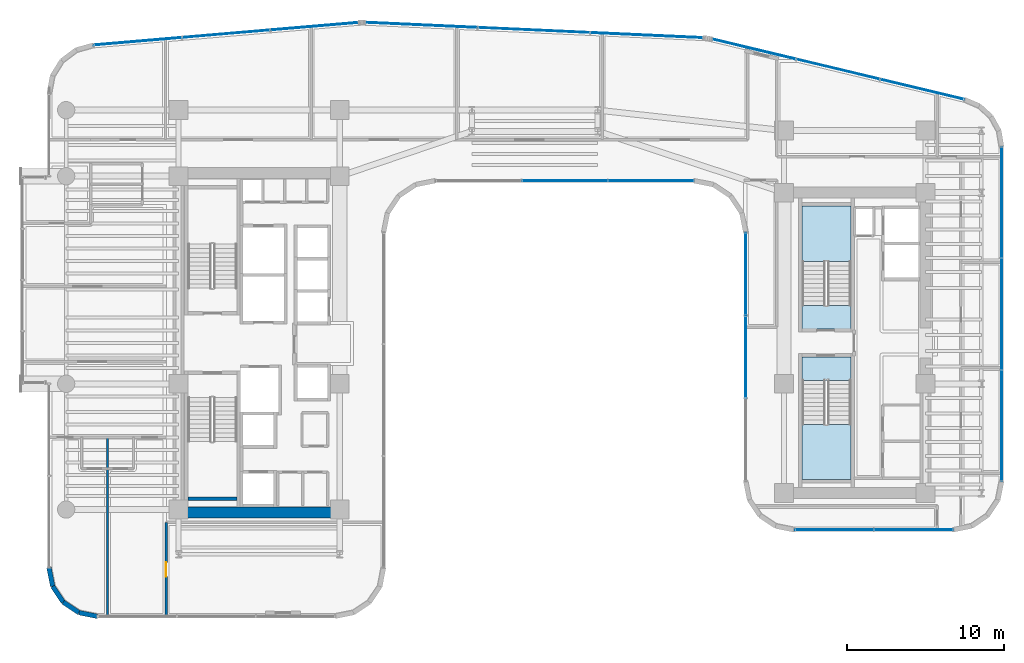
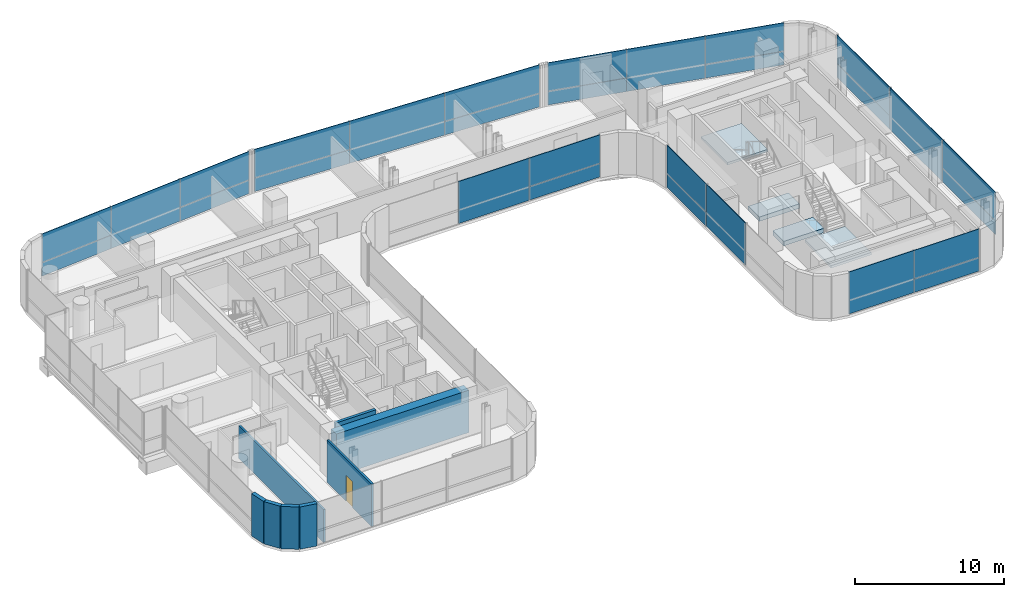
# One storey, part 25 of 35: 29 plates, 8 walls, 4 slabs, 1 door, 1 opening, 9 elements without a shape of their own.
"""IFC4 building model written with IfcOpenShell, lengths in metres."""

from ifc_helpers import new_model, si_unit, direction, frame, frame_2d, origin, origin_2d, place, context, subcontext, project, spatial, polyline, rectangle, outline, extrude, source, transform, mapped, material, layer, layer_set, type_object, element, fill, aggregate, save


model = new_model("IFC4")

# Units and contexts
model_context = context("Model", 3, precision=1e-05, world=origin(), true_north=direction((0.0, 1.0)))
body_context = subcontext(model_context, "Body", "Model", "MODEL_VIEW")
ifc_project = project(units=[si_unit("LENGTHUNIT", "METRE"), si_unit("AREAUNIT", "SQUARE_METRE"), si_unit("VOLUMEUNIT", "CUBIC_METRE"), si_unit("PLANEANGLEUNIT", "RADIAN"), si_unit("MASSUNIT", "GRAM", prefix="KILO")], contexts=[model_context])

# Site, building, storey
site_placement = place(None, origin())
site = spatial("IfcSite", under=ifc_project, at=site_placement, CompositionType="ELEMENT")
building_placement = place(site_placement, origin())
building = spatial("IfcBuilding", under=site, at=building_placement, Name="Valdorenza Pilgrim Sanctuary Tower", CompositionType="ELEMENT")
storey_placement = place(building_placement, frame((0.0, 0.0, 139.0)))
storey = spatial("IfcBuildingStorey", under=building, at=storey_placement, Name="L35", CompositionType="ELEMENT", Elevation=139.0)

# Stair, slab
ifc_material_1 = material(Name="Concrete C40/50", Category="concrete")
stair_type = type_object("IfcStairType", Name="STR-DOG-CORE", PredefinedType="HALF_TURN_STAIR", material=ifc_material_1)
stair_1_placement = place(storey_placement, origin())
stair_1 = element("IfcStair", 1, at=stair_1_placement, inside=storey, type_object=stair_type, Name="L35 ST-B1", PredefinedType="HALF_TURN_STAIR")
ifc_layer_1 = layer(ifc_material_1, 0.199951171875, Name="Concrete C40/50")
ifc_layer_set_1 = layer_set([ifc_layer_1], Name="Concrete C40/50")
slab_type_1 = type_object("IfcSlabType", Name="SLAB-STL-200", PredefinedType="LANDING", material=ifc_layer_set_1)
slab_1_placement = place(storey_placement, frame((0.0, 0.0, 1.64990234375)))
slab_1 = element("IfcSlab", 2, at=slab_1_placement, type_object=slab_type_1, Name="ST-B1 landing 1", PredefinedType="LANDING", context=body_context, shape_type="SweptSolid", body=[
    extrude(outline(polyline([(20.110107421875, 5.179931640625), (20.110107421875, 8.699951171875), (17.0, 8.699951171875), (17.0, 5.179931640625), (20.110107421875, 5.179931640625)])), origin(), (0.0, 0.0, 1.0), 0.2001953125),
])
aggregate(stair_1, [slab_1])

stair_2_placement = place(storey_placement, origin())
stair_2 = element("IfcStair", 3, at=stair_2_placement, inside=storey, type_object=stair_type, Name="L35 ST-B2", PredefinedType="HALF_TURN_STAIR")
slab_2_placement = place(storey_placement, frame((0.0, 0.0, 1.64990234375)))
slab_2 = element("IfcSlab", 4, at=slab_2_placement, type_object=slab_type_1, Name="ST-B2 landing 1", PredefinedType="LANDING", context=body_context, shape_type="SweptSolid", body=[
    extrude(outline(polyline([(17.0, -5.179931640625), (17.0, -8.699951171875), (20.110107421875, -8.699951171875), (20.110107421875, -5.179931640625), (17.0, -5.179931640625)])), origin(), (0.0, 0.0, 1.0), 0.2001953125),
])
aggregate(stair_2, [slab_2])

# Slabs
ifc_material_2 = material(Name="Concrete C50/60", Category="concrete")
ifc_layer_2 = layer(ifc_material_2, 0.39990234375, Name="Concrete C50/60")
ifc_layer_set_2 = layer_set([ifc_layer_2], Name="Concrete C50/60")
slab_type_2 = type_object("IfcSlabType", Name="SLAB-TRF-400", PredefinedType="FLOOR", material=ifc_layer_set_2)
slab_3_placement = place(storey_placement, frame((0.0, 0.0, -0.360107421875)))
element("IfcSlab", 5, at=slab_3_placement, inside=storey, type_object=slab_type_2, Name="L35 ST-B1 Structural Stair Landing Bearing Slab", PredefinedType="FLOOR", context=body_context, shape_type="SweptSolid", body=[
    extrude(outline(polyline([(17.0, 0.89990234375), (20.110107421875, 0.89990234375), (20.110107421875, 2.385009765625), (17.0, 2.385009765625), (17.0, 0.89990234375)])), origin(), (0.0, 0.0, 1.0), 0.360107421875),
])
slab_4_placement = place(storey_placement, frame((0.0, 0.0, -0.360107421875)))
element("IfcSlab", 6, at=slab_4_placement, inside=storey, type_object=slab_type_2, Name="L35 ST-B2 Structural Stair Landing Bearing Slab", PredefinedType="FLOOR", context=body_context, shape_type="SweptSolid", body=[
    extrude(outline(polyline([(17.0, -2.385009765625), (20.110107421875, -2.385009765625), (20.110107421875, -0.89990234375), (17.0, -0.89990234375), (17.0, -2.385009765625)])), origin(), (0.0, 0.0, 1.0), 0.360107421875),
])

# Curtain wall, plates
ifc_material_3 = material(Name="Curtain-wall IGU glazing", Category="glass")
curtain_wall_type_1 = type_object("IfcCurtainWallType", Name="CW-SYS-02", PredefinedType="NOTDEFINED", material=ifc_material_3)
curtain_wall_1_placement = place(storey_placement, origin())
curtain_wall_1 = element("IfcCurtainWall", 7, at=curtain_wall_1_placement, inside=storey, type_object=curtain_wall_type_1, Name="L35 Curtain Wall CW-L35-1-36", PredefinedType="NOTDEFINED")
ifc_material_4 = material(Name="Honed travertine limestone", Category="masonry")
ifc_layer_3 = layer(ifc_material_4, 0.050048828125, Name="Honed travertine limestone")
ifc_layer_set_3 = layer_set([ifc_layer_3], Name="Honed travertine limestone")
plate_type_1 = type_object("IfcPlateType", Name="CW-SPN-TRV", PredefinedType="USERDEFINED", material=ifc_layer_set_3)
shared_shape_1 = source(origin(), body_context, "Body", "SweptSolid", [
    extrude(rectangle(XDim=5.453857421875, YDim=0.06005859375, at=origin_2d()), origin(), (0.0, 0.0, 1.0), 1.10009765625),
])
plate_1_placement = place(storey_placement, frame((7.373779296875, 10.31005859375, 0.010009765625), z_axis=(0.0, 0.0, 1.0), x_axis=(-1.0, 0.0, 0.0)))
plate_1 = element("IfcPlate", 8, at=plate_1_placement, type_object=plate_type_1, Name="CW-L35-1-36 Travertine Spandrel 1", ObjectType="SPANDREL", PredefinedType="USERDEFINED", context=body_context, shape_type="MappedRepresentation", body=[
    mapped(shared_shape_1, transform((0.0, 0.0, 0.0), x_axis=(1.0, 0.0, 0.0), y_axis=(0.0, 1.0, 0.0), z_axis=(0.0, 0.0, 1.0), scale=1.0)),
])
ifc_material_5 = material(Name="Ceramic-fritted low-E IGU glazing", Category="glass")
ifc_layer_4 = layer(ifc_material_5, 0.035888671875, Name="Ceramic-fritted low-E IGU glazing")
ifc_layer_set_4 = layer_set([ifc_layer_4], Name="Ceramic-fritted low-E IGU glazing")
plate_type_2 = type_object("IfcPlateType", Name="CW-GLZ-IGU", PredefinedType="USERDEFINED", material=ifc_layer_set_4)
shared_shape_2 = source(origin(), body_context, "Body", "SweptSolid", [
    extrude(rectangle(XDim=5.453857421875, YDim=0.050048828125, at=origin_2d()), origin(), (0.0, 0.0, 1.0), 2.320068359375),
])
plate_2_placement = place(storey_placement, frame((7.373779296875, 10.31005859375, 1.1298828125), z_axis=(0.0, 0.0, 1.0), x_axis=(-1.0, 0.0, 0.0)))
plate_2 = element("IfcPlate", 9, at=plate_2_placement, type_object=plate_type_2, Name="CW-L35-1-36 Facade Panel 1", ObjectType="GLAZING", PredefinedType="USERDEFINED", context=body_context, shape_type="MappedRepresentation", body=[
    mapped(shared_shape_2, transform((0.0, 0.0, 0.0), x_axis=(1.0, 0.0, 0.0), y_axis=(0.0, 1.0, 0.0), z_axis=(0.0, 0.0, 1.0), scale=1.0)),
])
shared_shape_3 = source(origin(), body_context, "Body", "SweptSolid", [
    extrude(rectangle(XDim=5.453857421875, YDim=0.050048828125, at=origin_2d()), origin(), (0.0, 0.0, 1.0), 3.43994140625),
])
plate_3_placement = place(storey_placement, frame((1.89990234375, 10.31005859375, 0.010009765625), z_axis=(0.0, 0.0, 1.0), x_axis=(-1.0, 0.0, 0.0)))
plate_3 = element("IfcPlate", 10, at=plate_3_placement, type_object=plate_type_2, Name="CW-L35-1-36 Full-Height Facade Panel 2", ObjectType="GLAZING", PredefinedType="USERDEFINED", context=body_context, shape_type="MappedRepresentation", body=[
    mapped(shared_shape_3, transform((0.0, 0.0, 0.0), x_axis=(1.0, 0.0, 0.0), y_axis=(0.0, 1.0, 0.0), z_axis=(0.0, 0.0, 1.0), scale=1.0)),
])
aggregate(curtain_wall_1, [plate_1, plate_2, plate_3])

curtain_wall_2_placement = place(storey_placement, origin())
curtain_wall_2 = element("IfcCurtainWall", 11, at=curtain_wall_2_placement, inside=storey, type_object=curtain_wall_type_1, Name="L35 Curtain Wall CW-L35-1-6", PredefinedType="NOTDEFINED")
shared_shape_4 = source(origin(), body_context, "Body", "SweptSolid", [
    extrude(rectangle(XDim=5.61767578125, YDim=0.06005859375, at=origin_2d()), origin(), (0.0, 0.0, 1.0), 1.10009765625),
])
plate_4_placement = place(storey_placement, frame((-25.242919921875, 19.178955078125, 0.010009765625), z_axis=(0.0, 0.0, 1.0), x_axis=(0.99640764237, 0.084686541006, 0.0)))
plate_4 = element("IfcPlate", 12, at=plate_4_placement, type_object=plate_type_1, Name="CW-L35-1-6 Travertine Spandrel 1", ObjectType="SPANDREL", PredefinedType="USERDEFINED", context=body_context, shape_type="MappedRepresentation", body=[
    mapped(shared_shape_4, transform((0.0, 0.0, 0.0), x_axis=(1.0, 0.0, 0.0), y_axis=(0.0, 1.0, 0.0), z_axis=(0.0, 0.0, 1.0), scale=1.0)),
])
plate_5_placement = place(storey_placement, frame((-14.008056640625, 20.1337890625, 0.010009765625), z_axis=(0.0, 0.0, 1.0), x_axis=(0.99640764237, 0.084686541006, 0.0)))
plate_5 = element("IfcPlate", 13, at=plate_5_placement, type_object=plate_type_1, Name="CW-L35-1-6 Travertine Spandrel 3", ObjectType="SPANDREL", PredefinedType="USERDEFINED", context=body_context, shape_type="MappedRepresentation", body=[
    mapped(shared_shape_4, transform((0.0, 0.0, 0.0), x_axis=(1.0, 0.0, 0.0), y_axis=(0.0, 1.0, 0.0), z_axis=(0.0, 0.0, 1.0), scale=1.0)),
])

curtain_wall_3_placement = place(storey_placement, origin())
curtain_wall_3 = element("IfcCurtainWall", 14, at=curtain_wall_3_placement, inside=storey, type_object=curtain_wall_type_1, Name="L35 Curtain Wall CW-L35-1-11", PredefinedType="NOTDEFINED")
shared_shape_5 = source(origin(), body_context, "Body", "SweptSolid", [
    extrude(rectangle(XDim=7.1494140625, YDim=0.06005859375, at=origin_2d()), origin(), (0.0, 0.0, 1.0), 1.10009765625),
])
plate_6_placement = place(storey_placement, frame((-7.21484375, 20.2177734375, 0.010009765625), z_axis=(0.0, 0.0, 1.0), x_axis=(0.998968193221, -0.045415294044, 0.0)))
plate_6 = element("IfcPlate", 15, at=plate_6_placement, type_object=plate_type_1, Name="CW-L35-1-11 Travertine Spandrel 1", ObjectType="SPANDREL", PredefinedType="USERDEFINED", context=body_context, shape_type="MappedRepresentation", body=[
    mapped(shared_shape_5, transform((0.0, 0.0, 0.0), x_axis=(1.0, 0.0, 0.0), y_axis=(0.0, 1.0, 0.0), z_axis=(0.0, 0.0, 1.0), scale=1.0)),
])
plate_7_placement = place(storey_placement, frame((7.10888671875, 19.56689453125, 0.010009765625), z_axis=(0.0, 0.0, 1.0), x_axis=(0.998968193221, -0.045415294044, 0.0)))
plate_7 = element("IfcPlate", 16, at=plate_7_placement, type_object=plate_type_1, Name="CW-L35-1-11 Travertine Spandrel 3", ObjectType="SPANDREL", PredefinedType="USERDEFINED", context=body_context, shape_type="MappedRepresentation", body=[
    mapped(shared_shape_5, transform((0.0, 0.0, 0.0), x_axis=(1.0, 0.0, 0.0), y_axis=(0.0, 1.0, 0.0), z_axis=(0.0, 0.0, 1.0), scale=1.0)),
])

curtain_wall_type_2 = type_object("IfcCurtainWallType", Name="CW-SYS-03", PredefinedType="NOTDEFINED", material=ifc_material_3)
curtain_wall_4_placement = place(storey_placement, origin())
curtain_wall_4 = element("IfcCurtainWall", 17, at=curtain_wall_4_placement, inside=storey, type_object=curtain_wall_type_2, Name="L35 Curtain Wall CW-L35-1-16", PredefinedType="NOTDEFINED")
shared_shape_6 = source(origin(), body_context, "Body", "SweptSolid", [
    extrude(rectangle(XDim=5.477294921875, YDim=0.06005859375, at=origin_2d()), origin(), (0.0, 0.0, 1.0), 1.10009765625),
])
plate_8_placement = place(storey_placement, frame((13.944580078125, 18.68212890625, 0.010009765625), z_axis=(0.0, 0.0, 1.0), x_axis=(0.972528596343, -0.232783438617, 0.0)))
plate_8 = element("IfcPlate", 18, at=plate_8_placement, type_object=plate_type_1, Name="CW-L35-1-16 Travertine Spandrel 1", ObjectType="SPANDREL", PredefinedType="USERDEFINED", context=body_context, shape_type="MappedRepresentation", body=[
    mapped(shared_shape_6, transform((0.0, 0.0, 0.0), x_axis=(1.0, 0.0, 0.0), y_axis=(0.0, 1.0, 0.0), z_axis=(0.0, 0.0, 1.0), scale=1.0)),
])
plate_9_placement = place(storey_placement, frame((24.63720703125, 16.122802734375, 0.010009765625), z_axis=(0.0, 0.0, 1.0), x_axis=(0.972528596343, -0.232783438617, 0.0)))
plate_9 = element("IfcPlate", 19, at=plate_9_placement, type_object=plate_type_1, Name="CW-L35-1-16 Travertine Spandrel 3", ObjectType="SPANDREL", PredefinedType="USERDEFINED", context=body_context, shape_type="MappedRepresentation", body=[
    mapped(shared_shape_6, transform((0.0, 0.0, 0.0), x_axis=(1.0, 0.0, 0.0), y_axis=(0.0, 1.0, 0.0), z_axis=(0.0, 0.0, 1.0), scale=1.0)),
])

curtain_wall_5_placement = place(storey_placement, origin())
curtain_wall_5 = element("IfcCurtainWall", 20, at=curtain_wall_5_placement, inside=storey, type_object=curtain_wall_type_2, Name="L35 Curtain Wall CW-L35-1-21", PredefinedType="NOTDEFINED")
shared_shape_7 = source(origin(), body_context, "Body", "SweptSolid", [
    extrude(rectangle(XDim=7.065185546875, YDim=0.06005859375, at=origin_2d()), origin(), (0.0, 0.0, 1.0), 1.10009765625),
])
plate_10_placement = place(storey_placement, frame((29.68994140625, 8.923828125, 0.010009765625), z_axis=(0.0, 0.0, 1.0), x_axis=(0.0, -1.0, 0.0)))
plate_10 = element("IfcPlate", 21, at=plate_10_placement, type_object=plate_type_1, Name="CW-L35-1-21 Travertine Spandrel 1", ObjectType="SPANDREL", PredefinedType="USERDEFINED", context=body_context, shape_type="MappedRepresentation", body=[
    mapped(shared_shape_7, transform((0.0, 0.0, 0.0), x_axis=(1.0, 0.0, 0.0), y_axis=(0.0, 1.0, 0.0), z_axis=(0.0, 0.0, 1.0), scale=1.0)),
])
plate_11_placement = place(storey_placement, frame((29.68994140625, -5.24658203125, 0.010009765625), z_axis=(0.0, 0.0, 1.0), x_axis=(0.0, -1.0, 0.0)))
plate_11 = element("IfcPlate", 22, at=plate_11_placement, type_object=plate_type_1, Name="CW-L35-1-21 Travertine Spandrel 3", ObjectType="SPANDREL", PredefinedType="USERDEFINED", context=body_context, shape_type="MappedRepresentation", body=[
    mapped(shared_shape_7, transform((0.0, 0.0, 0.0), x_axis=(1.0, 0.0, 0.0), y_axis=(0.0, 1.0, 0.0), z_axis=(0.0, 0.0, 1.0), scale=1.0)),
])

# Curtain wall, plate
curtain_wall_6_placement = place(storey_placement, origin())
curtain_wall_6 = element("IfcCurtainWall", 23, at=curtain_wall_6_placement, inside=storey, type_object=curtain_wall_type_2, Name="L35 Curtain Wall CW-L35-1-26", PredefinedType="NOTDEFINED")
shared_shape_8 = source(origin(), body_context, "Body", "SweptSolid", [
    extrude(rectangle(XDim=5.019287109375, YDim=0.06005859375, at=origin_2d()), origin(), (0.0, 0.0, 1.0), 1.10009765625),
])
plate_12_placement = place(storey_placement, frame((24.069580078125, -11.889892578125, 0.010009765625), z_axis=(0.0, 0.0, 1.0), x_axis=(-1.0, 0.0, 0.0)))
plate_12 = element("IfcPlate", 24, at=plate_12_placement, type_object=plate_type_1, Name="CW-L35-1-26 Travertine Spandrel 1", ObjectType="SPANDREL", PredefinedType="USERDEFINED", context=body_context, shape_type="MappedRepresentation", body=[
    mapped(shared_shape_8, transform((0.0, 0.0, 0.0), x_axis=(1.0, 0.0, 0.0), y_axis=(0.0, 1.0, 0.0), z_axis=(0.0, 0.0, 1.0), scale=1.0)),
])

curtain_wall_7_placement = place(storey_placement, origin())
curtain_wall_7 = element("IfcCurtainWall", 25, at=curtain_wall_7_placement, inside=storey, type_object=curtain_wall_type_2, Name="L35 Curtain Wall CW-L35-1-31", PredefinedType="NOTDEFINED")
shared_shape_9 = source(origin(), body_context, "Body", "SweptSolid", [
    extrude(rectangle(XDim=5.24658203125, YDim=0.06005859375, at=origin_2d()), origin(), (0.0, 0.0, 1.0), 1.10009765625),
])
plate_13_placement = place(storey_placement, frame((13.409912109375, 4.37744140625, 0.010009765625), z_axis=(0.0, 0.0, 1.0), x_axis=(0.0, 1.0, 0.0)))
plate_13 = element("IfcPlate", 26, at=plate_13_placement, type_object=plate_type_1, Name="CW-L35-1-31 Travertine Spandrel 3", ObjectType="SPANDREL", PredefinedType="USERDEFINED", context=body_context, shape_type="MappedRepresentation", body=[
    mapped(shared_shape_9, transform((0.0, 0.0, 0.0), x_axis=(1.0, 0.0, 0.0), y_axis=(0.0, 1.0, 0.0), z_axis=(0.0, 0.0, 1.0), scale=1.0)),
])

# Plate
shared_shape_10 = source(origin(), body_context, "Body", "SweptSolid", [
    extrude(rectangle(XDim=5.61767578125, YDim=0.050048828125, at=origin_2d()), origin(), (0.0, 0.0, 1.0), 3.43994140625),
])
plate_14_placement = place(storey_placement, frame((-19.62548828125, 19.656494140625, 0.010009765625), z_axis=(0.0, 0.0, 1.0), x_axis=(0.99640764237, 0.084686541006, 0.0)))
plate_14 = element("IfcPlate", 27, at=plate_14_placement, type_object=plate_type_2, Name="CW-L35-1-6 Full-Height Facade Panel 2", ObjectType="GLAZING", PredefinedType="USERDEFINED", context=body_context, shape_type="MappedRepresentation", body=[
    mapped(shared_shape_10, transform((0.0, 0.0, 0.0), x_axis=(1.0, 0.0, 0.0), y_axis=(0.0, 1.0, 0.0), z_axis=(0.0, 0.0, 1.0), scale=1.0)),
])

shared_shape_11 = source(origin(), body_context, "Body", "SweptSolid", [
    extrude(rectangle(XDim=5.61767578125, YDim=0.050048828125, at=origin_2d()), origin(), (0.0, 0.0, 1.0), 2.320068359375),
])
plate_15_placement = place(storey_placement, frame((-25.242919921875, 19.178955078125, 1.1298828125), z_axis=(0.0, 0.0, 1.0), x_axis=(0.99640764237, 0.084686541006, 0.0)))
plate_15 = element("IfcPlate", 28, at=plate_15_placement, type_object=plate_type_2, Name="CW-L35-1-6 Facade Panel 1", ObjectType="GLAZING", PredefinedType="USERDEFINED", context=body_context, shape_type="MappedRepresentation", body=[
    mapped(shared_shape_11, transform((0.0, 0.0, 0.0), x_axis=(1.0, 0.0, 0.0), y_axis=(0.0, 1.0, 0.0), z_axis=(0.0, 0.0, 1.0), scale=1.0)),
])

plate_16_placement = place(storey_placement, frame((-14.008056640625, 20.1337890625, 1.1298828125), z_axis=(0.0, 0.0, 1.0), x_axis=(0.99640764237, 0.084686541006, 0.0)))
plate_16 = element("IfcPlate", 29, at=plate_16_placement, type_object=plate_type_2, Name="CW-L35-1-6 Facade Panel 3", ObjectType="GLAZING", PredefinedType="USERDEFINED", context=body_context, shape_type="MappedRepresentation", body=[
    mapped(shared_shape_11, transform((0.0, 0.0, 0.0), x_axis=(1.0, 0.0, 0.0), y_axis=(0.0, 1.0, 0.0), z_axis=(0.0, 0.0, 1.0), scale=1.0)),
])

aggregate(curtain_wall_2, [plate_4, plate_15, plate_14, plate_5, plate_16])

shared_shape_12 = source(origin(), body_context, "Body", "SweptSolid", [
    extrude(rectangle(XDim=7.1494140625, YDim=0.050048828125, at=origin_2d()), origin(), (0.0, 0.0, 1.0), 3.43994140625),
])
plate_17_placement = place(storey_placement, frame((-0.052978515625, 19.892333984375, 0.010009765625), z_axis=(0.0, 0.0, 1.0), x_axis=(0.998968193221, -0.045415294044, 0.0)))
plate_17 = element("IfcPlate", 30, at=plate_17_placement, type_object=plate_type_2, Name="CW-L35-1-11 Full-Height Facade Panel 2", ObjectType="GLAZING", PredefinedType="USERDEFINED", context=body_context, shape_type="MappedRepresentation", body=[
    mapped(shared_shape_12, transform((0.0, 0.0, 0.0), x_axis=(1.0, 0.0, 0.0), y_axis=(0.0, 1.0, 0.0), z_axis=(0.0, 0.0, 1.0), scale=1.0)),
])

shared_shape_13 = source(origin(), body_context, "Body", "SweptSolid", [
    extrude(rectangle(XDim=7.1494140625, YDim=0.050048828125, at=origin_2d()), origin(), (0.0, 0.0, 1.0), 2.320068359375),
])
plate_18_placement = place(storey_placement, frame((-7.21484375, 20.2177734375, 1.1298828125), z_axis=(0.0, 0.0, 1.0), x_axis=(0.998968193221, -0.045415294044, 0.0)))
plate_18 = element("IfcPlate", 31, at=plate_18_placement, type_object=plate_type_2, Name="CW-L35-1-11 Facade Panel 1", ObjectType="GLAZING", PredefinedType="USERDEFINED", context=body_context, shape_type="MappedRepresentation", body=[
    mapped(shared_shape_13, transform((0.0, 0.0, 0.0), x_axis=(1.0, 0.0, 0.0), y_axis=(0.0, 1.0, 0.0), z_axis=(0.0, 0.0, 1.0), scale=1.0)),
])

plate_19_placement = place(storey_placement, frame((7.10888671875, 19.56689453125, 1.1298828125), z_axis=(0.0, 0.0, 1.0), x_axis=(0.998968193221, -0.045415294044, 0.0)))
plate_19 = element("IfcPlate", 32, at=plate_19_placement, type_object=plate_type_2, Name="CW-L35-1-11 Facade Panel 3", ObjectType="GLAZING", PredefinedType="USERDEFINED", context=body_context, shape_type="MappedRepresentation", body=[
    mapped(shared_shape_13, transform((0.0, 0.0, 0.0), x_axis=(1.0, 0.0, 0.0), y_axis=(0.0, 1.0, 0.0), z_axis=(0.0, 0.0, 1.0), scale=1.0)),
])

aggregate(curtain_wall_3, [plate_6, plate_18, plate_17, plate_7, plate_19])

shared_shape_14 = source(origin(), body_context, "Body", "SweptSolid", [
    extrude(rectangle(XDim=5.477294921875, YDim=0.050048828125, at=origin_2d()), origin(), (0.0, 0.0, 1.0), 3.43994140625),
])
plate_20_placement = place(storey_placement, frame((19.291015625, 17.40234375, 0.010009765625), z_axis=(0.0, 0.0, 1.0), x_axis=(0.972528596343, -0.232783438617, 0.0)))
plate_20 = element("IfcPlate", 33, at=plate_20_placement, type_object=plate_type_2, Name="CW-L35-1-16 Full-Height Facade Panel 2", ObjectType="GLAZING", PredefinedType="USERDEFINED", context=body_context, shape_type="MappedRepresentation", body=[
    mapped(shared_shape_14, transform((0.0, 0.0, 0.0), x_axis=(1.0, 0.0, 0.0), y_axis=(0.0, 1.0, 0.0), z_axis=(0.0, 0.0, 1.0), scale=1.0)),
])

shared_shape_15 = source(origin(), body_context, "Body", "SweptSolid", [
    extrude(rectangle(XDim=5.477294921875, YDim=0.050048828125, at=origin_2d()), origin(), (0.0, 0.0, 1.0), 2.320068359375),
])
plate_21_placement = place(storey_placement, frame((13.944580078125, 18.68212890625, 1.1298828125), z_axis=(0.0, 0.0, 1.0), x_axis=(0.972528596343, -0.232783438617, 0.0)))
plate_21 = element("IfcPlate", 34, at=plate_21_placement, type_object=plate_type_2, Name="CW-L35-1-16 Facade Panel 1", ObjectType="GLAZING", PredefinedType="USERDEFINED", context=body_context, shape_type="MappedRepresentation", body=[
    mapped(shared_shape_15, transform((0.0, 0.0, 0.0), x_axis=(1.0, 0.0, 0.0), y_axis=(0.0, 1.0, 0.0), z_axis=(0.0, 0.0, 1.0), scale=1.0)),
])

plate_22_placement = place(storey_placement, frame((24.63720703125, 16.122802734375, 1.1298828125), z_axis=(0.0, 0.0, 1.0), x_axis=(0.972528596343, -0.232783438617, 0.0)))
plate_22 = element("IfcPlate", 35, at=plate_22_placement, type_object=plate_type_2, Name="CW-L35-1-16 Facade Panel 3", ObjectType="GLAZING", PredefinedType="USERDEFINED", context=body_context, shape_type="MappedRepresentation", body=[
    mapped(shared_shape_15, transform((0.0, 0.0, 0.0), x_axis=(1.0, 0.0, 0.0), y_axis=(0.0, 1.0, 0.0), z_axis=(0.0, 0.0, 1.0), scale=1.0)),
])

aggregate(curtain_wall_4, [plate_8, plate_21, plate_20, plate_9, plate_22])

shared_shape_16 = source(origin(), body_context, "Body", "SweptSolid", [
    extrude(rectangle(XDim=7.065185546875, YDim=0.050048828125, at=origin_2d()), origin(), (0.0, 0.0, 1.0), 2.320068359375),
])
plate_23_placement = place(storey_placement, frame((29.68994140625, 8.923828125, 1.1298828125), z_axis=(0.0, 0.0, 1.0), x_axis=(0.0, -1.0, 0.0)))
plate_23 = element("IfcPlate", 36, at=plate_23_placement, type_object=plate_type_2, Name="CW-L35-1-21 Facade Panel 1", ObjectType="GLAZING", PredefinedType="USERDEFINED", context=body_context, shape_type="MappedRepresentation", body=[
    mapped(shared_shape_16, transform((0.0, 0.0, 0.0), x_axis=(1.0, 0.0, 0.0), y_axis=(0.0, 1.0, 0.0), z_axis=(0.0, 0.0, 1.0), scale=1.0)),
])

plate_24_placement = place(storey_placement, frame((29.68994140625, -5.24658203125, 1.1298828125), z_axis=(0.0, 0.0, 1.0), x_axis=(0.0, -1.0, 0.0)))
plate_24 = element("IfcPlate", 37, at=plate_24_placement, type_object=plate_type_2, Name="CW-L35-1-21 Facade Panel 3", ObjectType="GLAZING", PredefinedType="USERDEFINED", context=body_context, shape_type="MappedRepresentation", body=[
    mapped(shared_shape_16, transform((0.0, 0.0, 0.0), x_axis=(1.0, 0.0, 0.0), y_axis=(0.0, 1.0, 0.0), z_axis=(0.0, 0.0, 1.0), scale=1.0)),
])

shared_shape_17 = source(origin(), body_context, "Body", "SweptSolid", [
    extrude(rectangle(XDim=7.065185546875, YDim=0.050048828125, at=origin_2d()), origin(), (0.0, 0.0, 1.0), 3.43994140625),
])
plate_25_placement = place(storey_placement, frame((29.68994140625, 1.838623046875, 0.010009765625), z_axis=(0.0, 0.0, 1.0), x_axis=(0.0, -1.0, 0.0)))
plate_25 = element("IfcPlate", 38, at=plate_25_placement, type_object=plate_type_2, Name="CW-L35-1-21 Full-Height Facade Panel 2", ObjectType="GLAZING", PredefinedType="USERDEFINED", context=body_context, shape_type="MappedRepresentation", body=[
    mapped(shared_shape_17, transform((0.0, 0.0, 0.0), x_axis=(1.0, 0.0, 0.0), y_axis=(0.0, 1.0, 0.0), z_axis=(0.0, 0.0, 1.0), scale=1.0)),
])

aggregate(curtain_wall_5, [plate_10, plate_23, plate_25, plate_11, plate_24])

shared_shape_18 = source(origin(), body_context, "Body", "SweptSolid", [
    extrude(rectangle(XDim=5.019287109375, YDim=0.050048828125, at=origin_2d()), origin(), (0.0, 0.0, 1.0), 2.320068359375),
])
plate_26_placement = place(storey_placement, frame((24.069580078125, -11.889892578125, 1.1298828125), z_axis=(0.0, 0.0, 1.0), x_axis=(-1.0, 0.0, 0.0)))
plate_26 = element("IfcPlate", 39, at=plate_26_placement, type_object=plate_type_2, Name="CW-L35-1-26 Facade Panel 1", ObjectType="GLAZING", PredefinedType="USERDEFINED", context=body_context, shape_type="MappedRepresentation", body=[
    mapped(shared_shape_18, transform((0.0, 0.0, 0.0), x_axis=(1.0, 0.0, 0.0), y_axis=(0.0, 1.0, 0.0), z_axis=(0.0, 0.0, 1.0), scale=1.0)),
])

shared_shape_19 = source(origin(), body_context, "Body", "SweptSolid", [
    extrude(rectangle(XDim=5.019287109375, YDim=0.050048828125, at=origin_2d()), origin(), (0.0, 0.0, 1.0), 3.43994140625),
])
plate_27_placement = place(storey_placement, frame((19.030517578125, -11.889892578125, 0.010009765625), z_axis=(0.0, 0.0, 1.0), x_axis=(-1.0, 0.0, 0.0)))
plate_27 = element("IfcPlate", 40, at=plate_27_placement, type_object=plate_type_2, Name="CW-L35-1-26 Full-Height Facade Panel 2", ObjectType="GLAZING", PredefinedType="USERDEFINED", context=body_context, shape_type="MappedRepresentation", body=[
    mapped(shared_shape_19, transform((0.0, 0.0, 0.0), x_axis=(1.0, 0.0, 0.0), y_axis=(0.0, 1.0, 0.0), z_axis=(0.0, 0.0, 1.0), scale=1.0)),
])

aggregate(curtain_wall_6, [plate_12, plate_26, plate_27])

shared_shape_20 = source(origin(), body_context, "Body", "SweptSolid", [
    extrude(rectangle(XDim=5.24658203125, YDim=0.050048828125, at=origin_2d()), origin(), (0.0, 0.0, 1.0), 2.320068359375),
])
plate_28_placement = place(storey_placement, frame((13.409912109375, 4.37744140625, 1.1298828125), z_axis=(0.0, 0.0, 1.0), x_axis=(0.0, 1.0, 0.0)))
plate_28 = element("IfcPlate", 41, at=plate_28_placement, type_object=plate_type_2, Name="CW-L35-1-31 Facade Panel 3", ObjectType="GLAZING", PredefinedType="USERDEFINED", context=body_context, shape_type="MappedRepresentation", body=[
    mapped(shared_shape_20, transform((0.0, 0.0, 0.0), x_axis=(1.0, 0.0, 0.0), y_axis=(0.0, 1.0, 0.0), z_axis=(0.0, 0.0, 1.0), scale=1.0)),
])

shared_shape_21 = source(origin(), body_context, "Body", "SweptSolid", [
    extrude(rectangle(XDim=5.24658203125, YDim=0.050048828125, at=origin_2d()), origin(), (0.0, 0.0, 1.0), 3.43994140625),
])
plate_29_placement = place(storey_placement, frame((13.409912109375, -0.88916015625, 0.010009765625), z_axis=(0.0, 0.0, 1.0), x_axis=(0.0, 1.0, 0.0)))
plate_29 = element("IfcPlate", 42, at=plate_29_placement, type_object=plate_type_2, Name="CW-L35-1-31 Full-Height Facade Panel 2", ObjectType="GLAZING", PredefinedType="USERDEFINED", context=body_context, shape_type="MappedRepresentation", body=[
    mapped(shared_shape_21, transform((0.0, 0.0, 0.0), x_axis=(1.0, 0.0, 0.0), y_axis=(0.0, 1.0, 0.0), z_axis=(0.0, 0.0, 1.0), scale=1.0)),
])

aggregate(curtain_wall_7, [plate_29, plate_13, plate_28])

# Wall, opening, door
ifc_material_6 = material(Name="Acoustic twin-stud gypsum partition", Category="gypsum")
ifc_layer_5 = layer(ifc_material_6, 0.159912109375, Name="Acoustic twin-stud gypsum partition")
ifc_layer_set_5 = layer_set([ifc_layer_5], Name="Acoustic twin-stud gypsum partition")
wall_type_1 = type_object("IfcWallType", Name="WAL-COR-160", PredefinedType="PARTITIONING", material=ifc_layer_set_5)
wall_1_placement = place(storey_placement, frame((-23.449951171875, -17.389892578125, 0.0), z_axis=(0.0, 0.0, 1.0), x_axis=(0.0, 1.0, 0.0)))
wall_1 = element("IfcWall", 43, at=wall_1_placement, inside=storey, type_object=wall_type_1, Name="L35 South-East Pocket West Wall", PredefinedType="PARTITIONING", context=body_context, shape_type="SweptSolid", body=[
    extrude(rectangle(XDim=5.969970703125, YDim=0.159912109375, at=frame_2d((2.98486328125, 0.0))), origin(), (0.0, 0.0, 1.0), 3.4599609375),
])
opening_placement = place(wall_1_placement, frame((2.534912109375, 0.0, 0.0)))
opening = element("IfcOpeningElement", 44, at=opening_placement, cuts=wall_1, Name="Opening DR-RM1", PredefinedType="OPENING", context=body_context, shape_type="SweptSolid", body=[
    extrude(rectangle(XDim=0.89990234375, YDim=2.10009765625, at=frame_2d((0.449951171875, 1.050048828125))), frame((0.0, 0.0947265625, 0.0), z_axis=(0.0, -1.0, 0.0), x_axis=(1.0, 0.0, 0.0)), (0.0, 0.0, 1.0), 0.189697265625),
])
ifc_material_7 = material(Name="Solid-core European oak timber", Category="wood")
door_type = type_object("IfcDoorType", Name="DR-ROOM-900", OperationType="NOTDEFINED", PredefinedType="DOOR", material=ifc_material_7)
door_placement = place(opening_placement, frame((0.89990234375, 0.0, 0.0), z_axis=(0.0, 0.0, 1.0), x_axis=(-1.0, 0.0, 0.0)))
door = element("IfcDoor", 45, at=door_placement, inside=storey, type_object=door_type, Name="L35 Sacred Archive Reading Library L35-S Door", OperationType="SINGLE_SWING_LEFT", OverallHeight=2.10009765625, OverallWidth=0.89990234375, PredefinedType="DOOR", context=body_context, shape_type="SweptSolid", body=[
    extrude(rectangle(XDim=0.89990234375, YDim=2.10009765625, at=frame_2d((0.449951171875, 1.050048828125))), frame((0.0, 0.02490234375, 0.0), z_axis=(0.0, -1.0, 0.0), x_axis=(1.0, 0.0, 0.0)), (0.0, 0.0, 1.0), 0.050048828125),
])
fill(opening, door)

# Walls
ifc_material_8 = material(Name="Concrete C60/75", Category="concrete")
ifc_layer_6 = layer(ifc_material_8, 0.699951171875, Name="Concrete C60/75")
ifc_layer_set_6 = layer_set([ifc_layer_6], Name="Concrete C60/75")
wall_type_2 = type_object("IfcWallType", Name="WAL-COR-700", PredefinedType="SHEAR", material=ifc_layer_set_6)
wall_2_placement = place(storey_placement, frame((-22.64990234375, -10.800048828125, 0.0), z_axis=(0.0, 0.0, 1.0), x_axis=(1.0, 0.0, 0.0)))
element("IfcWall", 46, at=wall_2_placement, inside=storey, type_object=wall_type_2, Name="L35 Split Core A Shear Wall S", PredefinedType="SHEAR", context=body_context, shape_type="SweptSolid", body=[
    extrude(rectangle(XDim=10.25, YDim=0.699951171875, at=frame_2d((5.125, 0.0))), origin(), (0.0, 0.0, 1.0), 3.4599609375),
])
ifc_layer_7 = layer(ifc_material_4, 0.300048828125, Name="Honed travertine limestone")
ifc_layer_set_7 = layer_set([ifc_layer_7], Name="Honed travertine limestone")
wall_type_3 = type_object("IfcWallType", Name="WAL-EXT-300", PredefinedType="SOLIDWALL", material=ifc_layer_set_7)
wall_3_placement = place(storey_placement, frame((-27.789306640625, -17.389892578125, 0.0), z_axis=(0.0, 0.0, 1.0), x_axis=(-0.980804027463, 0.194996050505, 0.0)))
element("IfcWall", 47, at=wall_3_placement, inside=storey, type_object=wall_type_3, Name="L35 Rounded Wind-Corner Stone Pier 47", PredefinedType="SOLIDWALL", context=body_context, shape_type="SweptSolid", body=[
    extrude(rectangle(XDim=1.2158203125, YDim=0.300048828125, at=frame_2d((0.60791015625, 0.0))), origin(), (0.0, 0.0, 1.0), 3.4599609375),
])
for number, where, z_axis, x_axis, name in (
    (48, (-28.981689453125, -17.15283203125, 0.0), (0.0, 0.0, 1.0), (-0.831426265255, 0.555635100982, 0.0), "L35 Rounded Wind-Corner Stone Pier 48"),
    (49, (-29.9833984375, -16.4833984375, 0.0), (0.0, 0.0, 1.0), (-0.555635100982, 0.831426265255, 0.0), "L35 Rounded Wind-Corner Stone Pier 49"),
):
    element("IfcWall", number, at=place(storey_placement, frame(where, z_axis=z_axis, x_axis=x_axis)), inside=storey, type_object=wall_type_3, Name=name, PredefinedType="SOLIDWALL", context=body_context, shape_type="SweptSolid", body=[
        extrude(rectangle(XDim=1.204833984375, YDim=0.300048828125, at=frame_2d((0.6025390625, 0.0))), origin(), (0.0, 0.0, 1.0), 3.4599609375),
    ])
wall_4_placement = place(storey_placement, frame((-30.65283203125, -15.481689453125, 0.0), z_axis=(0.0, 0.0, 1.0), x_axis=(-0.194996050505, 0.980804027463, 0.0)))
element("IfcWall", 50, at=wall_4_placement, inside=storey, type_object=wall_type_3, Name="L35 Rounded Wind-Corner Stone Pier 50", PredefinedType="SOLIDWALL", context=body_context, shape_type="SweptSolid", body=[
    extrude(rectangle(XDim=1.2158203125, YDim=0.300048828125, at=frame_2d((0.60791015625, 0.0))), origin(), (0.0, 0.0, 1.0), 3.4599609375),
])
ifc_layer_8 = layer(ifc_material_1, 0.219970703125, Name="Concrete C40/50")
ifc_layer_set_8 = layer_set([ifc_layer_8], Name="Concrete C40/50")
wall_type_4 = type_object("IfcWallType", Name="WAL-STR-SHF-220", PredefinedType="SHEAR", material=ifc_layer_set_8)
wall_5_placement = place(storey_placement, frame((-22.050048828125, -9.909912109375, 0.0), z_axis=(0.0, 0.0, 1.0), x_axis=(1.0, 0.0, 0.0)))
element("IfcWall", 51, at=wall_5_placement, inside=storey, type_object=wall_type_4, Name="L35 ST-A2 Structural Stairwell Wall S", PredefinedType="SHEAR", context=body_context, shape_type="SweptSolid", body=[
    extrude(rectangle(XDim=3.110107421875, YDim=0.219970703125, at=frame_2d((1.55517578125, 0.0))), origin(), (0.0, 0.0, 1.0), 3.4599609375),
])
ifc_layer_9 = layer(ifc_material_6, 0.14990234375, Name="Acoustic twin-stud gypsum partition")
ifc_layer_set_9 = layer_set([ifc_layer_9], Name="Acoustic twin-stud gypsum partition")
wall_type_5 = type_object("IfcWallType", Name="WAL-UNT-150", PredefinedType="PARTITIONING", material=ifc_layer_set_9)
wall_6_placement = place(storey_placement, frame((-27.169921875, -17.389892578125, 0.0), z_axis=(0.0, 0.0, 1.0), x_axis=(0.0, 1.0, 0.0)))
element("IfcWall", 52, at=wall_6_placement, inside=storey, type_object=wall_type_5, Name="L35 Pilgrim Guest Room L35-CS1 Split Wall", PredefinedType="PARTITIONING", context=body_context, shape_type="SweptSolid", body=[
    extrude(rectangle(XDim=11.389892578125, YDim=0.14990234375, at=frame_2d((5.69482421875, 0.0))), origin(), (0.0, 0.0, 1.0), 2.666015625),
])

save(model, "model.ifc")
